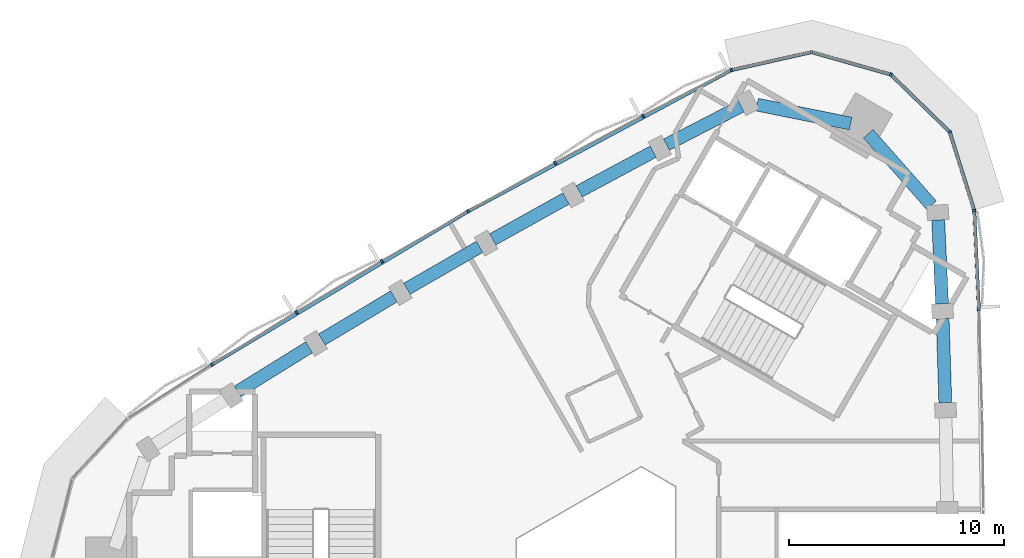
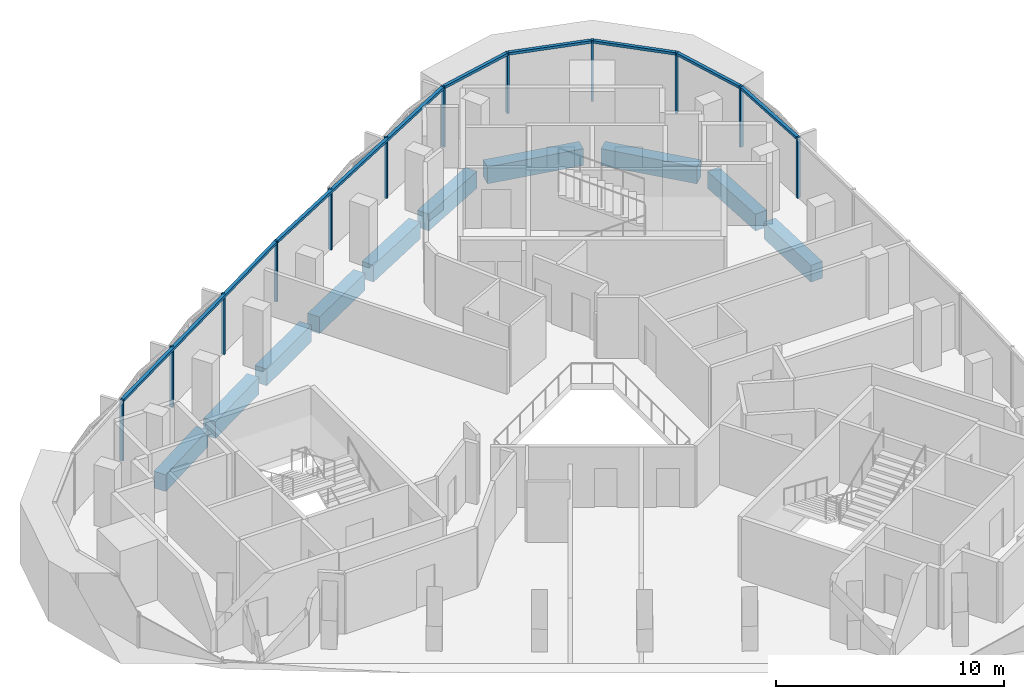
# One storey, part 4 of 12: 19 members, 10 beams, 2 elements without a shape of their own.
"""IFC4 building model written with IfcOpenShell, lengths in metres."""

import ifcopenshell
import ifcopenshell.guid

model = None  # the IFC model being written
_history = None  # IfcOwnerHistory: only IFC2X3 demands one
_inside = {}  # id of a spatial element -> (the spatial element, [elements in it])
_under = {}  # id of a project, library or spatial element -> (it, [spatial elements below it])
_declared = {}  # id of a project -> (the project, [libraries it declares])
_typed = {}  # id of a type object -> (the type object, [elements of that type])
_made_of = {}  # id of a material, layer set ... -> (it, [elements and type objects made of it])


def new_model(schema):
    """Start an empty IFC model of exactly this schema.

    Asked for "IFC4X3", IfcOpenShell would pick the latest addendum, in which some entities
    have other attributes; the version numbers below select the first issue.
    IFC2X3 requires an IfcOwnerHistory on every rooted entity: one is made here for all.
    """
    global model, _history
    if schema == "IFC4X3":
        model = ifcopenshell.file(schema_version=(4, 3, 0, 0))
    else:
        model = ifcopenshell.file(schema=schema)
    _inside.clear()
    _under.clear()
    _declared.clear()
    _typed.clear()
    _made_of.clear()
    _history = None
    if model.schema == "IFC2X3":
        org = make("IfcOrganization", Name="unknown")
        user = make(
            "IfcPersonAndOrganization",
            ThePerson=make("IfcPerson", FamilyName="unknown"),
            TheOrganization=org,
        )
        app = make(
            "IfcApplication",
            ApplicationDeveloper=org,
            Version="unknown",
            ApplicationFullName="unknown",
            ApplicationIdentifier="unknown",
        )
        _history = make(
            "IfcOwnerHistory",
            OwningUser=user,
            OwningApplication=app,
            ChangeAction="ADDED",
            CreationDate=0,
        )
    return model


def make(cls, **values):
    """One entity of the class cls with the attributes given. An attribute that is None is left unset."""
    return model.create_entity(
        cls, **{name: value for name, value in values.items() if value is not None}
    )


def rooted(cls, **values):
    """An entity with a GlobalId (a new one), such as an element, a storey or a relation."""
    return make(cls, GlobalId=ifcopenshell.guid.new(), OwnerHistory=_history, **values)


def si_unit(unit_type, name, prefix=None):
    """IfcSIUnit, for example si_unit("LENGTHUNIT", "METRE", prefix="MILLI")."""
    return make("IfcSIUnit", UnitType=unit_type, Prefix=prefix, Name=name)


def assignment(units):
    """IfcUnitAssignment: the units of a project."""
    return None if units is None else make("IfcUnitAssignment", Units=units)


def point(xyz):
    """IfcCartesianPoint."""
    return None if xyz is None else make("IfcCartesianPoint", Coordinates=xyz)


def direction(xyz):
    """IfcDirection."""
    return None if xyz is None else make("IfcDirection", DirectionRatios=xyz)


def frame(location, z_axis=None, x_axis=None):
    """IfcAxis2Placement3D, a coordinate frame: its origin and axes. An axis left out is left unset."""
    return make(
        "IfcAxis2Placement3D",
        Location=point(location),
        Axis=direction(z_axis),
        RefDirection=direction(x_axis),
    )


def frame_2d(location, x_axis=None):
    """IfcAxis2Placement2D, a coordinate frame in the plane: its origin and x axis."""
    return make(
        "IfcAxis2Placement2D", Location=point(location), RefDirection=direction(x_axis)
    )


def origin():
    """The frame at (0, 0, 0) with its axes left unset."""
    return frame((0.0, 0.0, 0.0))


def origin_2d():
    """The frame at (0, 0) in the plane with its x axis left unset."""
    return frame_2d((0.0, 0.0))


def place(relative_to, where):
    """IfcLocalPlacement: puts the frame where relative to a parent placement (None: the world)."""
    return make(
        "IfcLocalPlacement", PlacementRelTo=relative_to, RelativePlacement=where
    )


def context(
    kind, dimensions, precision=None, world=None, true_north=None, identifier=None
):
    """IfcGeometricRepresentationContext, for example the 3D "Model" context."""
    return make(
        "IfcGeometricRepresentationContext",
        ContextIdentifier=identifier,
        ContextType=kind,
        CoordinateSpaceDimension=dimensions,
        Precision=precision,
        WorldCoordinateSystem=world,
        TrueNorth=true_north,
    )


def subcontext(parent, identifier, kind, view, scale=None):
    """IfcGeometricRepresentationSubContext, for example "Body" below "Model"."""
    return make(
        "IfcGeometricRepresentationSubContext",
        ContextIdentifier=identifier,
        ContextType=kind,
        ParentContext=parent,
        TargetScale=scale,
        TargetView=view,
    )


def project(units=None, contexts=None):
    """IfcProject with its units and contexts."""
    return rooted(
        "IfcProject",
        Name="project",
        RepresentationContexts=contexts,
        UnitsInContext=assignment(units),
    )


def spatial(cls, under=None, at=None, **own):
    """A site, building, storey or space (cls), placed at a placement, below another one or the project."""
    s = rooted(cls, ObjectPlacement=at, **own)
    if under is not None:
        _under.setdefault(under.id(), (under, []))[1].append(s)
    return s


def profile(cls, at=None, kind="AREA", **sizes):
    """A parametric profile (cls). Its sizes go by their IFC names, for example OverallWidth=200.0."""
    return make(cls, ProfileType=kind, Position=at, **sizes)


def rectangle(**sizes):
    """IfcRectangleProfileDef."""
    return profile("IfcRectangleProfileDef", **sizes)


def extrude(swept, where, along, depth):
    """IfcExtrudedAreaSolid: the profile swept, set in the frame where, extruded along a direction by depth."""
    return make(
        "IfcExtrudedAreaSolid",
        SweptArea=swept,
        Position=where,
        ExtrudedDirection=direction(along),
        Depth=depth,
    )


def shape(context_of_items, identifier, shape_type, items):
    """IfcShapeRepresentation: the items that make up one representation, for example the "Body"."""
    return make(
        "IfcShapeRepresentation",
        ContextOfItems=context_of_items,
        RepresentationIdentifier=identifier,
        RepresentationType=shape_type,
        Items=items,
    )


def material(Name=None, Category=None):
    """IfcMaterial."""
    return make("IfcMaterial", Name=Name, Category=Category)


def material_profile(
    of_material, cross_section, Name=None, Category=None, Priority=None
):
    """IfcMaterialProfile: a cross section and its material."""
    return make(
        "IfcMaterialProfile",
        Name=Name,
        Material=of_material,
        Profile=cross_section,
        Priority=Priority,
        Category=Category,
    )


def profile_set(profiles, Name=None, composite=None):
    """IfcMaterialProfileSet."""
    return make(
        "IfcMaterialProfileSet",
        Name=Name,
        MaterialProfiles=profiles,
        CompositeProfile=composite,
    )


def made_of(thing, what):
    """Note that an element or type object is made of a material, layer set ...; save() writes the relation."""
    if what is not None:
        _made_of.setdefault(what.id(), (what, []))[1].append(thing)
    return thing


def type_object(cls, material=None, **own):
    """A type object (cls), such as IfcWallType, which elements share."""
    return made_of(rooted(cls, **own), material)


def element(
    cls,
    number,
    at=None,
    inside=None,
    cuts=None,
    type_object=None,
    material=None,
    context=None,
    identifier="Body",
    shape_type=None,
    held_by="IfcProductDefinitionShape",
    body=None,
    shapes=None,
    **own,
):
    """One element of the class cls, such as IfcWall. Its Tag is "e" and its number.

    at: its placement. inside: the storey or other place that contains it. cuts: it is an
    opening in that element (IfcRelVoidsElement). A single representation is given by context,
    identifier, shape_type and body (its items); several are given by shapes. held_by: the class
    of the entity that holds the representations. save() writes the other relations.
    """
    e = rooted(cls, Tag="e%d" % number, ObjectPlacement=at, **own)
    if body is not None:
        shapes = [shape(context, identifier, shape_type, body)]
    if shapes is not None:
        e.Representation = make(held_by, Representations=shapes)
    if inside is not None:
        _inside.setdefault(inside.id(), (inside, []))[1].append(e)
    if cuts is not None:
        rooted(
            "IfcRelVoidsElement", RelatingBuildingElement=cuts, RelatedOpeningElement=e
        )
    if type_object is not None:
        _typed.setdefault(type_object.id(), (type_object, []))[1].append(e)
    return made_of(e, material)


def aggregate(whole, parts):
    """IfcRelAggregates: a whole, such as a stair, and the parts it consists of."""
    return rooted("IfcRelAggregates", RelatingObject=whole, RelatedObjects=parts)


def save(model, path):
    """Write the relations noted so far, then the file.

    IfcRelAggregates (storeys below a building ...), IfcRelContainedInSpatialStructure (elements
    in a storey), IfcRelDefinesByType, IfcRelAssociatesMaterial and IfcRelDeclares: one each for
    every whole, place, type object, material and project.
    """
    for whole, parts in _under.values():
        aggregate(whole, parts)
    for where, things in _inside.values():
        rooted(
            "IfcRelContainedInSpatialStructure",
            RelatedElements=things,
            RelatingStructure=where,
        )
    for kind, things in _typed.values():
        rooted("IfcRelDefinesByType", RelatedObjects=things, RelatingType=kind)
    for what, things in _made_of.values():
        rooted("IfcRelAssociatesMaterial", RelatedObjects=things, RelatingMaterial=what)
    for by, libraries in _declared.values():
        rooted("IfcRelDeclares", RelatingContext=by, RelatedDefinitions=libraries)
    model.write(path)


model = new_model("IFC4")

# Units and contexts
model_context = context("Model", 3, precision=1e-05, world=origin(), true_north=direction((0.0, 1.0)))
body_context = subcontext(model_context, "Body", "Model", "MODEL_VIEW")
ifc_project = project(units=[si_unit("LENGTHUNIT", "METRE"), si_unit("AREAUNIT", "SQUARE_METRE"), si_unit("VOLUMEUNIT", "CUBIC_METRE"), si_unit("PLANEANGLEUNIT", "RADIAN"), si_unit("MASSUNIT", "GRAM", prefix="KILO")], contexts=[model_context])

# Site, building, storey
site_placement = place(None, origin())
site = spatial("IfcSite", under=ifc_project, at=site_placement, CompositionType="ELEMENT")
building_placement = place(site_placement, origin())
building = spatial("IfcBuilding", under=site, at=building_placement, Name="Tamra Quay Hotel Tower", CompositionType="ELEMENT")
storey_placement = place(building_placement, frame((0.0, 0.0, 269.39990234375)))
storey = spatial("IfcBuildingStorey", under=building, at=storey_placement, Name="L68", CompositionType="ELEMENT", Elevation=269.39990234375)

# Curtain wall, members
ifc_material_1 = material(Name="Aluminium 6063 anodised dark grey", Category="aluminium")
curtain_wall_type_1 = type_object("IfcCurtainWallType", Name="CW1 CURTAIN WALL", PredefinedType="NOTDEFINED", material=ifc_material_1)
curtain_wall_1_placement = place(storey_placement, origin())
curtain_wall_1 = element("IfcCurtainWall", 1, at=curtain_wall_1_placement, inside=storey, type_object=curtain_wall_type_1, Name="CW1 east face L68", PredefinedType="NOTDEFINED")
ifc_material_profile_1 = material_profile(ifc_material_1, rectangle(XDim=0.159912109375, YDim=0.10009765625, at=origin_2d()), Name="MULLION 100X160")
ifc_profile_set_1 = profile_set([ifc_material_profile_1], Name="Aluminium 6063 anodised dark grey")
member_type_1 = type_object("IfcMemberType", Name="MULLION CW1 Z6", PredefinedType="MULLION", material=ifc_profile_set_1)
member_1_placement = place(storey_placement, frame((17.116943359375, 11.580810546875, 0.0), z_axis=(0.0, 0.0, 1.0), x_axis=(0.999237932992, 0.039032720501, 0.0)))
member_1 = element("IfcMember", 2, at=member_1_placement, type_object=member_type_1, Name="CW1 mullion L68.E.7", PredefinedType="MULLION", context=body_context, shape_type="SweptSolid", body=[
    extrude(rectangle(XDim=0.159912109375, YDim=0.10009765625, at=origin_2d()), origin(), (0.0, 0.0, 1.0), 3.25),
])
member_2_placement = place(storey_placement, frame((16.89990234375, 16.210205078125, 0.0), z_axis=(0.0, 0.0, 1.0), x_axis=(0.984739919862, 0.174032440167, 0.0)))
member_2 = element("IfcMember", 3, at=member_2_placement, type_object=member_type_1, Name="CW1 mullion L68.E.8", PredefinedType="MULLION", context=body_context, shape_type="SweptSolid", body=[
    extrude(rectangle(XDim=0.159912109375, YDim=0.10009765625, at=origin_2d()), origin(), (0.0, 0.0, 1.0), 3.25),
])
member_3_placement = place(storey_placement, frame((15.757080078125, 19.865966796875, 0.0), z_axis=(0.0, 0.0, 1.0), x_axis=(0.851964184595, 0.523600065094, 0.0)))
member_3 = element("IfcMember", 4, at=member_3_placement, type_object=member_type_1, Name="CW1 mullion L68.E.9", PredefinedType="MULLION", context=body_context, shape_type="SweptSolid", body=[
    extrude(rectangle(XDim=0.159912109375, YDim=0.10009765625, at=origin_2d()), origin(), (0.0, 0.0, 1.0), 3.25),
])
member_4_placement = place(storey_placement, frame((13.01171875, 22.536865234375, 0.0), z_axis=(0.0, 0.0, 1.0), x_axis=(0.5, 0.866025403784, 0.0)))
member_4 = element("IfcMember", 5, at=member_4_placement, type_object=member_type_1, Name="CW1 mullion L68.E.10", PredefinedType="MULLION", context=body_context, shape_type="SweptSolid", body=[
    extrude(rectangle(XDim=0.159912109375, YDim=0.10009765625, at=origin_2d()), origin(), (0.0, 0.0, 1.0), 3.25),
])
member_5_placement = place(storey_placement, frame((9.325927734375, 23.578857421875, 0.0), z_axis=(0.0, 0.0, 1.0), x_axis=(0.027468865497, 0.999622659521, 0.0)))
member_5 = element("IfcMember", 6, at=member_5_placement, type_object=member_type_1, Name="CW1 mullion L68.E.11", PredefinedType="MULLION", context=body_context, shape_type="SweptSolid", body=[
    extrude(rectangle(XDim=0.159912109375, YDim=0.10009765625, at=origin_2d()), origin(), (0.0, 0.0, 1.0), 3.25),
])

curtain_wall_type_2 = type_object("IfcCurtainWallType", Name="CW2 CURTAIN WALL", PredefinedType="NOTDEFINED", material=ifc_material_1)
curtain_wall_2_placement = place(storey_placement, origin())
curtain_wall_2 = element("IfcCurtainWall", 7, at=curtain_wall_2_placement, inside=storey, type_object=curtain_wall_type_2, Name="CW2 north-west face L68", PredefinedType="NOTDEFINED")
ifc_material_profile_2 = material_profile(ifc_material_1, rectangle(XDim=0.159912109375, YDim=0.10009765625, at=origin_2d()), Name="MULLION 100X160")
ifc_profile_set_2 = profile_set([ifc_material_profile_2], Name="Aluminium 6063 anodised dark grey")
member_type_2 = type_object("IfcMemberType", Name="MULLION CW2 Z6", PredefinedType="MULLION", material=ifc_profile_set_2)
member_6_placement = place(storey_placement, frame((5.588623046875, 22.740966796875, 0.0), z_axis=(0.0, 0.0, 1.0), x_axis=(-0.341653445664, 0.939826006804, 0.0)))
member_6 = element("IfcMember", 8, at=member_6_placement, type_object=member_type_2, Name="CW2 mullion L68.NW.1", PredefinedType="MULLION", context=body_context, shape_type="SweptSolid", body=[
    extrude(rectangle(XDim=0.159912109375, YDim=0.10009765625, at=origin_2d()), origin(), (0.0, 0.0, 1.0), 3.25),
])
member_7_placement = place(storey_placement, frame((1.470947265625, 20.6142578125, 0.0), z_axis=(0.0, 0.0, 1.0), x_axis=(-0.465815638963, 0.884881794647, 0.0)))
member_7 = element("IfcMember", 9, at=member_7_placement, type_object=member_type_2, Name="CW2 mullion L68.NW.2", PredefinedType="MULLION", context=body_context, shape_type="SweptSolid", body=[
    extrude(rectangle(XDim=0.159912109375, YDim=0.10009765625, at=origin_2d()), origin(), (0.0, 0.0, 1.0), 3.25),
])
member_8_placement = place(storey_placement, frame((-2.611572265625, 18.424072265625, 0.0), z_axis=(0.0, 0.0, 1.0), x_axis=(-0.479564906203, 0.877506410654, 0.0)))
member_8 = element("IfcMember", 10, at=member_8_placement, type_object=member_type_2, Name="CW2 mullion L68.NW.3", PredefinedType="MULLION", context=body_context, shape_type="SweptSolid", body=[
    extrude(rectangle(XDim=0.159912109375, YDim=0.10009765625, at=origin_2d()), origin(), (0.0, 0.0, 1.0), 3.25),
])
member_9_placement = place(storey_placement, frame((-6.660400390625, 16.170166015625, 0.0), z_axis=(0.0, 0.0, 1.0), x_axis=(-0.493215493305, 0.869907165831, 0.0)))
member_9 = element("IfcMember", 11, at=member_9_placement, type_object=member_type_2, Name="CW2 mullion L68.NW.4", PredefinedType="MULLION", context=body_context, shape_type="SweptSolid", body=[
    extrude(rectangle(XDim=0.159912109375, YDim=0.10009765625, at=origin_2d()), origin(), (0.0, 0.0, 1.0), 3.25),
])
member_10_placement = place(storey_placement, frame((-10.673583984375, 13.853271484375, 0.0), z_axis=(0.0, 0.0, 1.0), x_axis=(-0.506753957891, 0.862090729658, 0.0)))
member_10 = element("IfcMember", 12, at=member_10_placement, type_object=member_type_2, Name="CW2 mullion L68.NW.5", PredefinedType="MULLION", context=body_context, shape_type="SweptSolid", body=[
    extrude(rectangle(XDim=0.159912109375, YDim=0.10009765625, at=origin_2d()), origin(), (0.0, 0.0, 1.0), 3.25),
])
member_11_placement = place(storey_placement, frame((-14.64990234375, 11.473876953125, 0.0), z_axis=(0.0, 0.0, 1.0), x_axis=(-0.520160390508, 0.854068596862, 0.0)))
member_11 = element("IfcMember", 13, at=member_11_placement, type_object=member_type_2, Name="CW2 mullion L68.NW.6", PredefinedType="MULLION", context=body_context, shape_type="SweptSolid", body=[
    extrude(rectangle(XDim=0.159912109375, YDim=0.10009765625, at=origin_2d()), origin(), (0.0, 0.0, 1.0), 3.25),
])
member_12_placement = place(storey_placement, frame((-18.587890625, 9.033203125, 0.0), z_axis=(0.0, 0.0, 1.0), x_axis=(-0.533422294029, 0.845849074146, 0.0)))
member_12 = element("IfcMember", 14, at=member_12_placement, type_object=member_type_2, Name="CW2 mullion L68.NW.7", PredefinedType="MULLION", context=body_context, shape_type="SweptSolid", body=[
    extrude(rectangle(XDim=0.159912109375, YDim=0.10009765625, at=origin_2d()), origin(), (0.0, 0.0, 1.0), 3.25),
])

# Beams
ifc_material_2 = material(Name="Concrete M60", Category="concrete")
ifc_material_profile_3 = material_profile(ifc_material_2, rectangle(XDim=0.60009765625, YDim=0.89990234375, at=origin_2d()), Name="SPANDREL BEAM RC 600x900")
ifc_profile_set_3 = profile_set([ifc_material_profile_3], Name="Concrete M60")
beam_type = type_object("IfcBeamType", Name="SPANDREL BEAM RC 600x900", PredefinedType="SPANDREL", material=ifc_profile_set_3)
beam_1_placement = place(storey_placement, frame((15.55126953125, 7.259765625, -0.7998046875), z_axis=(-0.031240604276, 0.999511893198, 0.0), x_axis=(-0.999511893198, -0.031240604276, 0.0)))
element("IfcBeam", 15, at=beam_1_placement, inside=storey, type_object=beam_type, Name="BM-SP6-005-L68", PredefinedType="SPANDREL", context=body_context, shape_type="SweptSolid", body=[
    extrude(rectangle(XDim=0.60009765625, YDim=0.89990234375, at=origin_2d()), origin(), (0.0, 0.0, 1.0), 3.907470703125),
])
beam_2_placement = place(storey_placement, frame((15.40185546875, 11.86474609375, -0.7998046875), z_axis=(-0.04680507522, 0.998904041905, 0.0), x_axis=(-0.998904041905, -0.04680507522, 0.0)))
element("IfcBeam", 16, at=beam_2_placement, inside=storey, type_object=beam_type, Name="BM-SP6-006-L68", PredefinedType="SPANDREL", context=body_context, shape_type="SweptSolid", body=[
    extrude(rectangle(XDim=0.60009765625, YDim=0.89990234375, at=origin_2d()), origin(), (0.0, 0.0, 1.0), 3.906982421875),
])
beam_3_placement = place(storey_placement, frame((14.9072265625, 16.451171875, -0.7998046875), z_axis=(-0.661856103448, 0.749630908066, 0.0), x_axis=(-0.749630908066, -0.661856103448, 0.0)))
element("IfcBeam", 17, at=beam_3_placement, inside=storey, type_object=beam_type, Name="BM-SP6-007-L68", PredefinedType="SPANDREL", context=body_context, shape_type="SweptSolid", body=[
    extrude(rectangle(XDim=0.60009765625, YDim=0.89990234375, at=origin_2d()), origin(), (0.0, 0.0, 1.0), 4.44189453125),
])
beam_4_placement = place(storey_placement, frame((11.146728515625, 20.25439453125, -0.7998046875), z_axis=(-0.980114952618, 0.198430541133, 0.0), x_axis=(-0.198430541133, -0.980114952618, 0.0)))
element("IfcBeam", 18, at=beam_4_placement, inside=storey, type_object=beam_type, Name="BM-SP6-008-L68", PredefinedType="SPANDREL", context=body_context, shape_type="SweptSolid", body=[
    extrude(rectangle(XDim=0.60009765625, YDim=0.89990234375, at=origin_2d()), origin(), (0.0, 0.0, 1.0), 4.441650390625),
])
beam_5_placement = place(storey_placement, frame((6.04541015625, 21.063720703125, -0.7998046875), z_axis=(-0.888476019227, -0.458923047208, 0.0), x_axis=(0.458923047208, -0.888476019227, 0.0)))
element("IfcBeam", 19, at=beam_5_placement, inside=storey, type_object=beam_type, Name="BM-SP6-009-L68", PredefinedType="SPANDREL", context=body_context, shape_type="SweptSolid", body=[
    extrude(rectangle(XDim=0.60009765625, YDim=0.89990234375, at=origin_2d()), origin(), (0.0, 0.0, 1.0), 3.906982421875),
])
beam_6_placement = place(storey_placement, frame((1.954833984375, 18.944580078125, -0.7998046875), z_axis=(-0.88123835064, -0.472672158437, 0.0), x_axis=(0.472672158437, -0.88123835064, 0.0)))
element("IfcBeam", 20, at=beam_6_placement, inside=storey, type_object=beam_type, Name="BM-SP6-010-L68", PredefinedType="SPANDREL", context=body_context, shape_type="SweptSolid", body=[
    extrude(rectangle(XDim=0.60009765625, YDim=0.89990234375, at=origin_2d()), origin(), (0.0, 0.0, 1.0), 3.907470703125),
])
for number, where, z_axis, x_axis, name in (
    (21, (-2.102783203125, 16.761962890625, -0.7998046875), (-0.873726581477, -0.486417373066, 0.0), (0.486417373066, -0.873726581477, 0.0), "BM-SP6-011-L68"),
    (22, (-6.125244140625, 14.516357421875, -0.7998046875), (-0.866011803689, -0.500023555316, 0.0), (0.500023555316, -0.866011803689, 0.0), "BM-SP6-012-L68"),
):
    element("IfcBeam", number, at=place(storey_placement, frame(where, z_axis=z_axis, x_axis=x_axis)), inside=storey, type_object=beam_type, Name=name, PredefinedType="SPANDREL", context=body_context, shape_type="SweptSolid", body=[
        extrude(rectangle(XDim=0.60009765625, YDim=0.89990234375, at=origin_2d()), origin(), (0.0, 0.0, 1.0), 3.906982421875),
    ])
beam_7_placement = place(storey_placement, frame((-10.1123046875, 12.2080078125, -0.7998046875), z_axis=(-0.858120821909, -0.513447811376, 0.0), x_axis=(0.513447811376, -0.858120821909, 0.0)))
element("IfcBeam", 23, at=beam_7_placement, inside=storey, type_object=beam_type, Name="BM-SP6-013-L68", PredefinedType="SPANDREL", context=body_context, shape_type="SweptSolid", body=[
    extrude(rectangle(XDim=0.60009765625, YDim=0.89990234375, at=origin_2d()), origin(), (0.0, 0.0, 1.0), 3.9072265625),
])
beam_8_placement = place(storey_placement, frame((-14.062744140625, 9.837890625, -0.7998046875), z_axis=(-0.849972078006, -0.526827739029, 0.0), x_axis=(0.526827739029, -0.849972078006, 0.0)))
element("IfcBeam", 24, at=beam_8_placement, inside=storey, type_object=beam_type, Name="BM-SP6-014-L68", PredefinedType="SPANDREL", context=body_context, shape_type="SweptSolid", body=[
    extrude(rectangle(XDim=0.60009765625, YDim=0.89990234375, at=origin_2d()), origin(), (0.0, 0.0, 1.0), 3.907470703125),
])

# Member
ifc_material_profile_4 = material_profile(ifc_material_1, rectangle(XDim=0.159912109375, YDim=0.139892578125, at=origin_2d()), Name="TRANSOM 160X140")
ifc_profile_set_4 = profile_set([ifc_material_profile_4], Name="Aluminium 6063 anodised dark grey")
member_type_3 = type_object("IfcMemberType", Name="TRANSOM CW1 Z6", PredefinedType="USERDEFINED", material=ifc_profile_set_4)
member_13_placement = place(storey_placement, frame((17.114501953125, 11.630859375, 3.18017578125), z_axis=(-0.046787491417, 0.998904865664, 0.0), x_axis=(-0.998904865664, -0.046787491417, 0.0)))
member_13 = element("IfcMember", 25, at=member_13_placement, type_object=member_type_3, Name="CW1 transom L68.E.7", ObjectType="TRANSOM", PredefinedType="USERDEFINED", context=body_context, shape_type="SweptSolid", body=[
    extrude(rectangle(XDim=0.159912109375, YDim=0.139892578125, at=origin_2d()), origin(), (0.0, 0.0, 1.0), 4.534423828125),
])

member_14_placement = place(storey_placement, frame((16.885009765625, 16.258056640625, 3.18017578125), z_axis=(-0.298383063983, 0.95444619918, 0.0), x_axis=(-0.95444619918, -0.298383063983, 0.0)))
member_14 = element("IfcMember", 26, at=member_14_placement, type_object=member_type_3, Name="CW1 transom L68.E.8", ObjectType="TRANSOM", PredefinedType="USERDEFINED", context=body_context, shape_type="SweptSolid", body=[
    extrude(rectangle(XDim=0.159912109375, YDim=0.139892578125, at=origin_2d()), origin(), (0.0, 0.0, 1.0), 3.730224609375),
])

member_15_placement = place(storey_placement, frame((15.72119140625, 19.90087890625, 3.18017578125), z_axis=(-0.716759527702, 0.697320428102, 0.0), x_axis=(-0.697320428102, -0.716759527702, 0.0)))
member_15 = element("IfcMember", 27, at=member_15_placement, type_object=member_type_3, Name="CW1 transom L68.E.9", ObjectType="TRANSOM", PredefinedType="USERDEFINED", context=body_context, shape_type="SweptSolid", body=[
    extrude(rectangle(XDim=0.159912109375, YDim=0.139892578125, at=origin_2d()), origin(), (0.0, 0.0, 1.0), 3.72998046875),
])

member_16_placement = place(storey_placement, frame((12.963623046875, 22.550537109375, 3.18017578125), z_axis=(-0.9622784918, 0.272066359955, 0.0), x_axis=(-0.272066359955, -0.9622784918, 0.0)))
member_16 = element("IfcMember", 28, at=member_16_placement, type_object=member_type_3, Name="CW1 transom L68.E.10", ObjectType="TRANSOM", PredefinedType="USERDEFINED", context=body_context, shape_type="SweptSolid", body=[
    extrude(rectangle(XDim=0.159912109375, YDim=0.139892578125, at=origin_2d()), origin(), (0.0, 0.0, 1.0), 3.730224609375),
])

member_17_placement = place(storey_placement, frame((9.277099609375, 23.568115234375, 3.18017578125), z_axis=(-0.975757055509, -0.218856502356, 0.0), x_axis=(0.218856502356, -0.975757055509, 0.0)))
member_17 = element("IfcMember", 29, at=member_17_placement, type_object=member_type_3, Name="CW1 transom L68.E.11", ObjectType="TRANSOM", PredefinedType="USERDEFINED", context=body_context, shape_type="SweptSolid", body=[
    extrude(rectangle(XDim=0.159912109375, YDim=0.139892578125, at=origin_2d()), origin(), (0.0, 0.0, 1.0), 3.730224609375),
])

aggregate(curtain_wall_1, [member_1, member_13, member_2, member_14, member_3, member_15, member_4, member_16, member_5, member_17])

ifc_material_profile_5 = material_profile(ifc_material_1, rectangle(XDim=0.159912109375, YDim=0.139892578125, at=origin_2d()), Name="TRANSOM 160X140")
ifc_profile_set_5 = profile_set([ifc_material_profile_5], Name="Aluminium 6063 anodised dark grey")
member_type_4 = type_object("IfcMemberType", Name="TRANSOM CW2 Z6", PredefinedType="USERDEFINED", material=ifc_profile_set_5)
member_18_placement = place(storey_placement, frame((5.544189453125, 22.718017578125, 3.18017578125), z_axis=(-0.881218148164, -0.472709821504, 0.0), x_axis=(0.472709821504, -0.881218148164, 0.0)))
member_18 = element("IfcMember", 30, at=member_18_placement, type_object=member_type_4, Name="CW2 transom L68.NW.1", ObjectType="TRANSOM", PredefinedType="USERDEFINED", context=body_context, shape_type="SweptSolid", body=[
    extrude(rectangle(XDim=0.159912109375, YDim=0.139892578125, at=origin_2d()), origin(), (0.0, 0.0, 1.0), 13.800048828125),
])

member_19_placement = place(storey_placement, frame((-6.703857421875, 16.145263671875, 3.18017578125), z_axis=(-0.858107364644, -0.513470301715, 0.0), x_axis=(0.513470301715, -0.858107364644, 0.0)))
member_19 = element("IfcMember", 31, at=member_19_placement, type_object=member_type_4, Name="CW2 transom L68.NW.4", ObjectType="TRANSOM", PredefinedType="USERDEFINED", context=body_context, shape_type="SweptSolid", body=[
    extrude(rectangle(XDim=0.159912109375, YDim=0.139892578125, at=origin_2d()), origin(), (0.0, 0.0, 1.0), 13.799560546875),
])

aggregate(curtain_wall_2, [member_6, member_18, member_7, member_8, member_9, member_19, member_10, member_11, member_12])

save(model, "model.ifc")
